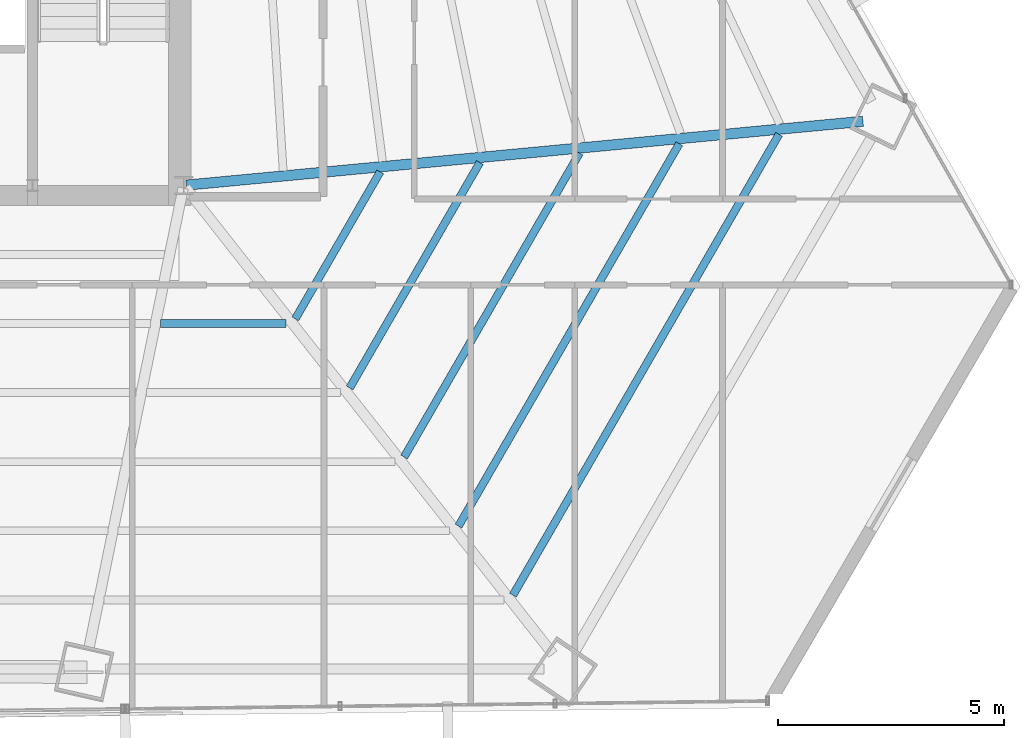
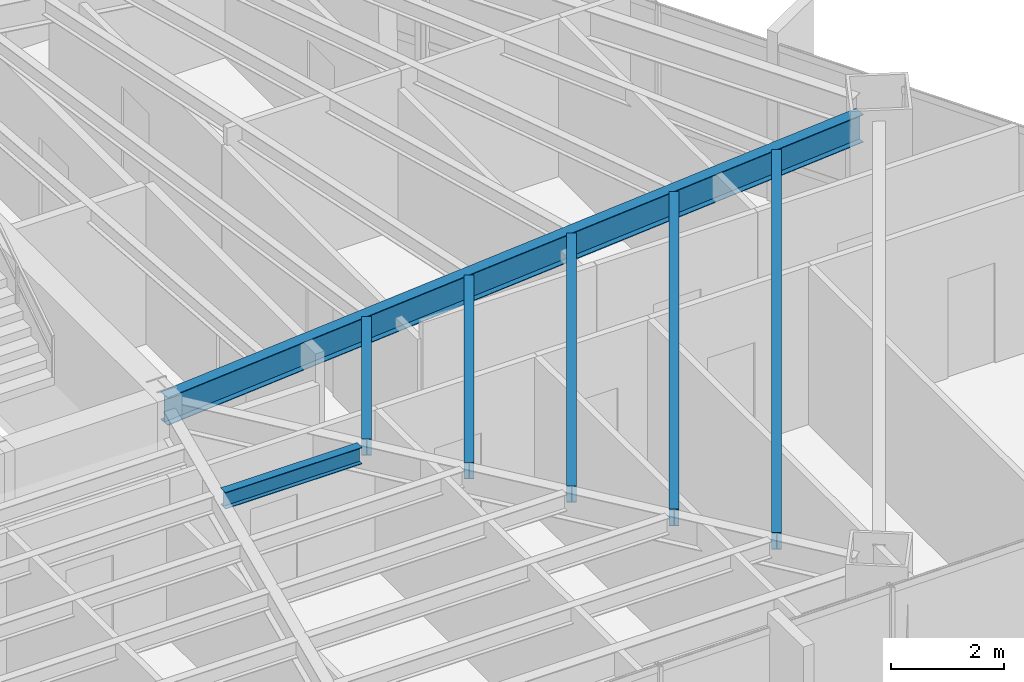
# One storey, part 19 of 37: 7 beams.
"""IFC4 building model written with IfcOpenShell, lengths in metres."""

import ifcopenshell
import ifcopenshell.guid

model = None  # the IFC model being written
_history = None  # IfcOwnerHistory: only IFC2X3 demands one
_inside = {}  # id of a spatial element -> (the spatial element, [elements in it])
_under = {}  # id of a project, library or spatial element -> (it, [spatial elements below it])
_declared = {}  # id of a project -> (the project, [libraries it declares])
_typed = {}  # id of a type object -> (the type object, [elements of that type])
_made_of = {}  # id of a material, layer set ... -> (it, [elements and type objects made of it])


def new_model(schema):
    """Start an empty IFC model of exactly this schema.

    Asked for "IFC4X3", IfcOpenShell would pick the latest addendum, in which some entities
    have other attributes; the version numbers below select the first issue.
    IFC2X3 requires an IfcOwnerHistory on every rooted entity: one is made here for all.
    """
    global model, _history
    if schema == "IFC4X3":
        model = ifcopenshell.file(schema_version=(4, 3, 0, 0))
    else:
        model = ifcopenshell.file(schema=schema)
    _inside.clear()
    _under.clear()
    _declared.clear()
    _typed.clear()
    _made_of.clear()
    _history = None
    if model.schema == "IFC2X3":
        org = make("IfcOrganization", Name="unknown")
        user = make(
            "IfcPersonAndOrganization",
            ThePerson=make("IfcPerson", FamilyName="unknown"),
            TheOrganization=org,
        )
        app = make(
            "IfcApplication",
            ApplicationDeveloper=org,
            Version="unknown",
            ApplicationFullName="unknown",
            ApplicationIdentifier="unknown",
        )
        _history = make(
            "IfcOwnerHistory",
            OwningUser=user,
            OwningApplication=app,
            ChangeAction="ADDED",
            CreationDate=0,
        )
    return model


def make(cls, **values):
    """One entity of the class cls with the attributes given. An attribute that is None is left unset."""
    return model.create_entity(
        cls, **{name: value for name, value in values.items() if value is not None}
    )


def rooted(cls, **values):
    """An entity with a GlobalId (a new one), such as an element, a storey or a relation."""
    return make(cls, GlobalId=ifcopenshell.guid.new(), OwnerHistory=_history, **values)


def si_unit(unit_type, name, prefix=None):
    """IfcSIUnit, for example si_unit("LENGTHUNIT", "METRE", prefix="MILLI")."""
    return make("IfcSIUnit", UnitType=unit_type, Prefix=prefix, Name=name)


def assignment(units):
    """IfcUnitAssignment: the units of a project."""
    return None if units is None else make("IfcUnitAssignment", Units=units)


def point(xyz):
    """IfcCartesianPoint."""
    return None if xyz is None else make("IfcCartesianPoint", Coordinates=xyz)


def direction(xyz):
    """IfcDirection."""
    return None if xyz is None else make("IfcDirection", DirectionRatios=xyz)


def frame(location, z_axis=None, x_axis=None):
    """IfcAxis2Placement3D, a coordinate frame: its origin and axes. An axis left out is left unset."""
    return make(
        "IfcAxis2Placement3D",
        Location=point(location),
        Axis=direction(z_axis),
        RefDirection=direction(x_axis),
    )


def frame_2d(location, x_axis=None):
    """IfcAxis2Placement2D, a coordinate frame in the plane: its origin and x axis."""
    return make(
        "IfcAxis2Placement2D", Location=point(location), RefDirection=direction(x_axis)
    )


def origin():
    """The frame at (0, 0, 0) with its axes left unset."""
    return frame((0.0, 0.0, 0.0))


def origin_2d():
    """The frame at (0, 0) in the plane with its x axis left unset."""
    return frame_2d((0.0, 0.0))


def place(relative_to, where):
    """IfcLocalPlacement: puts the frame where relative to a parent placement (None: the world)."""
    return make(
        "IfcLocalPlacement", PlacementRelTo=relative_to, RelativePlacement=where
    )


def context(
    kind, dimensions, precision=None, world=None, true_north=None, identifier=None
):
    """IfcGeometricRepresentationContext, for example the 3D "Model" context."""
    return make(
        "IfcGeometricRepresentationContext",
        ContextIdentifier=identifier,
        ContextType=kind,
        CoordinateSpaceDimension=dimensions,
        Precision=precision,
        WorldCoordinateSystem=world,
        TrueNorth=true_north,
    )


def subcontext(parent, identifier, kind, view, scale=None):
    """IfcGeometricRepresentationSubContext, for example "Body" below "Model"."""
    return make(
        "IfcGeometricRepresentationSubContext",
        ContextIdentifier=identifier,
        ContextType=kind,
        ParentContext=parent,
        TargetScale=scale,
        TargetView=view,
    )


def project(units=None, contexts=None):
    """IfcProject with its units and contexts."""
    return rooted(
        "IfcProject",
        Name="project",
        RepresentationContexts=contexts,
        UnitsInContext=assignment(units),
    )


def spatial(cls, under=None, at=None, **own):
    """A site, building, storey or space (cls), placed at a placement, below another one or the project."""
    s = rooted(cls, ObjectPlacement=at, **own)
    if under is not None:
        _under.setdefault(under.id(), (under, []))[1].append(s)
    return s


def profile(cls, at=None, kind="AREA", **sizes):
    """A parametric profile (cls). Its sizes go by their IFC names, for example OverallWidth=200.0."""
    return make(cls, ProfileType=kind, Position=at, **sizes)


def i_section(**sizes):
    """IfcIShapeProfileDef."""
    return profile("IfcIShapeProfileDef", **sizes)


def extrude(swept, where, along, depth):
    """IfcExtrudedAreaSolid: the profile swept, set in the frame where, extruded along a direction by depth."""
    return make(
        "IfcExtrudedAreaSolid",
        SweptArea=swept,
        Position=where,
        ExtrudedDirection=direction(along),
        Depth=depth,
    )


def shape(context_of_items, identifier, shape_type, items):
    """IfcShapeRepresentation: the items that make up one representation, for example the "Body"."""
    return make(
        "IfcShapeRepresentation",
        ContextOfItems=context_of_items,
        RepresentationIdentifier=identifier,
        RepresentationType=shape_type,
        Items=items,
    )


def source(mapping_origin, context_of_items, identifier, shape_type, items):
    """IfcRepresentationMap: a shape defined once, which mapped items show again and again."""
    return make(
        "IfcRepresentationMap",
        MappingOrigin=mapping_origin,
        MappedRepresentation=shape(context_of_items, identifier, shape_type, items),
    )


def transform(
    local_origin,
    x_axis=None,
    y_axis=None,
    z_axis=None,
    scale=None,
    scale2=None,
    scale3=None,
    uniform=True,
):
    """IfcCartesianTransformationOperator3D, or its non-uniform kind. x_axis, y_axis, z_axis: its Axis1, 2, 3."""
    if uniform:
        return make(
            "IfcCartesianTransformationOperator3D",
            Axis1=direction(x_axis),
            Axis2=direction(y_axis),
            LocalOrigin=point(local_origin),
            Scale=scale,
            Axis3=direction(z_axis),
        )
    return make(
        "IfcCartesianTransformationOperator3DnonUniform",
        Axis1=direction(x_axis),
        Axis2=direction(y_axis),
        LocalOrigin=point(local_origin),
        Scale=scale,
        Axis3=direction(z_axis),
        Scale2=scale2,
        Scale3=scale3,
    )


def mapped(mapping_source, mapping_target):
    """IfcMappedItem: shows the shape of a source again, moved by a transform."""
    return make(
        "IfcMappedItem", MappingSource=mapping_source, MappingTarget=mapping_target
    )


def material(Name=None, Category=None):
    """IfcMaterial."""
    return make("IfcMaterial", Name=Name, Category=Category)


def material_profile(
    of_material, cross_section, Name=None, Category=None, Priority=None
):
    """IfcMaterialProfile: a cross section and its material."""
    return make(
        "IfcMaterialProfile",
        Name=Name,
        Material=of_material,
        Profile=cross_section,
        Priority=Priority,
        Category=Category,
    )


def profile_set(profiles, Name=None, composite=None):
    """IfcMaterialProfileSet."""
    return make(
        "IfcMaterialProfileSet",
        Name=Name,
        MaterialProfiles=profiles,
        CompositeProfile=composite,
    )


def made_of(thing, what):
    """Note that an element or type object is made of a material, layer set ...; save() writes the relation."""
    if what is not None:
        _made_of.setdefault(what.id(), (what, []))[1].append(thing)
    return thing


def type_object(cls, material=None, **own):
    """A type object (cls), such as IfcWallType, which elements share."""
    return made_of(rooted(cls, **own), material)


def type_shapes(of_type, sources):
    """Give a type object the sources (RepresentationMaps) that its elements show as mapped items."""
    of_type.RepresentationMaps = sources


def element(
    cls,
    number,
    at=None,
    inside=None,
    cuts=None,
    type_object=None,
    material=None,
    context=None,
    identifier="Body",
    shape_type=None,
    held_by="IfcProductDefinitionShape",
    body=None,
    shapes=None,
    **own,
):
    """One element of the class cls, such as IfcWall. Its Tag is "e" and its number.

    at: its placement. inside: the storey or other place that contains it. cuts: it is an
    opening in that element (IfcRelVoidsElement). A single representation is given by context,
    identifier, shape_type and body (its items); several are given by shapes. held_by: the class
    of the entity that holds the representations. save() writes the other relations.
    """
    e = rooted(cls, Tag="e%d" % number, ObjectPlacement=at, **own)
    if body is not None:
        shapes = [shape(context, identifier, shape_type, body)]
    if shapes is not None:
        e.Representation = make(held_by, Representations=shapes)
    if inside is not None:
        _inside.setdefault(inside.id(), (inside, []))[1].append(e)
    if cuts is not None:
        rooted(
            "IfcRelVoidsElement", RelatingBuildingElement=cuts, RelatedOpeningElement=e
        )
    if type_object is not None:
        _typed.setdefault(type_object.id(), (type_object, []))[1].append(e)
    return made_of(e, material)


def aggregate(whole, parts):
    """IfcRelAggregates: a whole, such as a stair, and the parts it consists of."""
    return rooted("IfcRelAggregates", RelatingObject=whole, RelatedObjects=parts)


def save(model, path):
    """Write the relations noted so far, then the file.

    IfcRelAggregates (storeys below a building ...), IfcRelContainedInSpatialStructure (elements
    in a storey), IfcRelDefinesByType, IfcRelAssociatesMaterial and IfcRelDeclares: one each for
    every whole, place, type object, material and project.
    """
    for whole, parts in _under.values():
        aggregate(whole, parts)
    for where, things in _inside.values():
        rooted(
            "IfcRelContainedInSpatialStructure",
            RelatedElements=things,
            RelatingStructure=where,
        )
    for kind, things in _typed.values():
        rooted("IfcRelDefinesByType", RelatedObjects=things, RelatingType=kind)
    for what, things in _made_of.values():
        rooted("IfcRelAssociatesMaterial", RelatedObjects=things, RelatingMaterial=what)
    for by, libraries in _declared.values():
        rooted("IfcRelDeclares", RelatingContext=by, RelatedDefinitions=libraries)
    model.write(path)


model = new_model("IFC4")

# Units and contexts
model_context = context("Model", 3, precision=1e-05, world=origin(), true_north=direction((0.0, 1.0)))
body_context = subcontext(model_context, "Body", "Model", "MODEL_VIEW")
ifc_project = project(units=[si_unit("LENGTHUNIT", "METRE"), si_unit("AREAUNIT", "SQUARE_METRE"), si_unit("VOLUMEUNIT", "CUBIC_METRE"), si_unit("PLANEANGLEUNIT", "RADIAN"), si_unit("MASSUNIT", "GRAM", prefix="KILO")], contexts=[model_context])

# Site, building, storey
site_placement = place(None, origin())
site = spatial("IfcSite", under=ifc_project, at=site_placement, CompositionType="ELEMENT")
building_placement = place(site_placement, origin())
building = spatial("IfcBuilding", under=site, at=building_placement, Name="Caelisora Broadcast Tower", CompositionType="ELEMENT")
storey_placement = place(building_placement, frame((0.0, 0.0, 120.0)))
storey = spatial("IfcBuildingStorey", under=building, at=storey_placement, Name="L31", CompositionType="ELEMENT", Elevation=120.0)

# Beams
ifc_material = material(Name="Steel Grade 350 (AS/NZS 3679.1)", Category="steel")
ifc_material_profile_1 = material_profile(ifc_material, i_section(OverallWidth=0.22802734375, OverallDepth=0.602294921875, WebThickness=0.010498046875, FlangeThickness=0.014892578125, at=origin_2d()), Name="Steel Grade 350 (AS/NZS 3679.1)")
ifc_profile_set_1 = profile_set([ifc_material_profile_1], Name="Steel Grade 350 (AS/NZS 3679.1)")
beam_type_1 = type_object("IfcBeamType", Name="PG04", PredefinedType="BEAM", material=ifc_profile_set_1)
shared_shape_1 = source(origin(), body_context, "Body", "SweptSolid", [
    extrude(i_section(OverallWidth=0.22802734375, OverallDepth=0.602294921875, WebThickness=0.010498046875, FlangeThickness=0.014892578125, at=origin_2d()), origin(), (0.0, 0.0, 1.0), 15.031494140625),
])
type_shapes(beam_type_1, [shared_shape_1])
beam_1_placement = place(storey_placement, frame((45.559814453125, 17.405517578125, 3.098876953125), z_axis=(0.995580620207, 0.093910748422, 0.0), x_axis=(-0.093910748422, 0.995580620207, 0.0)))
element("IfcBeam", 1, at=beam_1_placement, inside=storey, type_object=beam_type_1, Name="L31 beam PG04", PredefinedType="BEAM", context=body_context, shape_type="MappedRepresentation", body=[
    mapped(shared_shape_1, transform((0.0, 0.0, 0.0), scale=1.0)),
])
ifc_material_profile_2 = material_profile(ifc_material, i_section(OverallWidth=0.172119140625, OverallDepth=0.358642578125, WebThickness=0.008056640625, FlangeThickness=0.012939453125, at=origin_2d()), Name="Steel Grade 350 (AS/NZS 3679.1)")
ifc_profile_set_2 = profile_set([ifc_material_profile_2], Name="Steel Grade 350 (AS/NZS 3679.1)")
beam_type_2 = type_object("IfcBeamType", Name="SB02", PredefinedType="JOIST", material=ifc_profile_set_2)
shared_shape_2 = source(origin(), body_context, "Body", "SweptSolid", [
    extrude(i_section(OverallWidth=0.172119140625, OverallDepth=0.358642578125, WebThickness=0.008056640625, FlangeThickness=0.012939453125, at=origin_2d()), origin(), (0.0, 0.0, 1.0), 3.75341796875),
])
beam_2_placement = place(storey_placement, frame((47.96728515625, 14.447265625, 3.220703125), z_axis=(0.500007733091, 0.866020939036, 0.0), x_axis=(-0.866020939036, 0.500007733091, 0.0)))
element("IfcBeam", 2, at=beam_2_placement, inside=storey, type_object=beam_type_2, Name="L31 beam SB02", PredefinedType="JOIST", context=body_context, shape_type="MappedRepresentation", body=[
    mapped(shared_shape_2, transform((0.0, 0.0, 0.0), scale=1.0)),
])
shared_shape_3 = source(origin(), body_context, "Body", "SweptSolid", [
    extrude(i_section(OverallWidth=0.172119140625, OverallDepth=0.358642578125, WebThickness=0.008056640625, FlangeThickness=0.012939453125, at=origin_2d()), origin(), (0.0, 0.0, 1.0), 5.758056640625),
])
beam_3_placement = place(storey_placement, frame((49.1708984375, 12.919189453125, 3.220703125), z_axis=(0.500019739641, 0.866014006798, 0.0), x_axis=(-0.866014006798, 0.500019739641, 0.0)))
element("IfcBeam", 3, at=beam_3_placement, inside=storey, type_object=beam_type_2, Name="L31 beam SB02", PredefinedType="JOIST", context=body_context, shape_type="MappedRepresentation", body=[
    mapped(shared_shape_3, transform((0.0, 0.0, 0.0), scale=1.0)),
])
shared_shape_4 = source(origin(), body_context, "Body", "SweptSolid", [
    extrude(i_section(OverallWidth=0.172119140625, OverallDepth=0.358642578125, WebThickness=0.008056640625, FlangeThickness=0.012939453125, at=origin_2d()), origin(), (0.0, 0.0, 1.0), 7.762939453125),
])
beam_4_placement = place(storey_placement, frame((50.374755859375, 11.390869140625, 3.220703125), z_axis=(0.499988339263, 0.86603213601, 0.0), x_axis=(-0.86603213601, 0.499988339263, 0.0)))
element("IfcBeam", 4, at=beam_4_placement, inside=storey, type_object=beam_type_2, Name="L31 beam SB02", PredefinedType="JOIST", context=body_context, shape_type="MappedRepresentation", body=[
    mapped(shared_shape_4, transform((0.0, 0.0, 0.0), scale=1.0)),
])
shared_shape_5 = source(origin(), body_context, "Body", "SweptSolid", [
    extrude(i_section(OverallWidth=0.172119140625, OverallDepth=0.358642578125, WebThickness=0.008056640625, FlangeThickness=0.012939453125, at=origin_2d()), origin(), (0.0, 0.0, 1.0), 9.767822265625),
])
beam_5_placement = place(storey_placement, frame((51.57861328125, 9.86279296875, 3.220703125), z_axis=(0.499988574806, 0.866032000023, 0.0), x_axis=(-0.866032000023, 0.499988574806, 0.0)))
element("IfcBeam", 5, at=beam_5_placement, inside=storey, type_object=beam_type_2, Name="L31 beam SB02", PredefinedType="JOIST", context=body_context, shape_type="MappedRepresentation", body=[
    mapped(shared_shape_5, transform((0.0, 0.0, 0.0), scale=1.0)),
])
shared_shape_6 = source(origin(), body_context, "Body", "SweptSolid", [
    extrude(i_section(OverallWidth=0.172119140625, OverallDepth=0.358642578125, WebThickness=0.008056640625, FlangeThickness=0.012939453125, at=origin_2d()), origin(), (0.0, 0.0, 1.0), 11.772705078125),
])
beam_6_placement = place(storey_placement, frame((52.7822265625, 8.33447265625, 3.220703125), z_axis=(0.499988730122, 0.866031910354, 0.0), x_axis=(-0.866031910354, 0.499988730122, 0.0)))
element("IfcBeam", 6, at=beam_6_placement, inside=storey, type_object=beam_type_2, Name="L31 beam SB02", PredefinedType="JOIST", context=body_context, shape_type="MappedRepresentation", body=[
    mapped(shared_shape_6, transform((0.0, 0.0, 0.0), scale=1.0)),
])
shared_shape_7 = source(origin(), body_context, "Body", "SweptSolid", [
    extrude(i_section(OverallWidth=0.172119140625, OverallDepth=0.358642578125, WebThickness=0.008056640625, FlangeThickness=0.012939453125, at=origin_2d()), origin(), (0.0, 0.0, 1.0), 2.778076171875),
])
type_shapes(beam_type_2, [shared_shape_2, shared_shape_3, shared_shape_4, shared_shape_5, shared_shape_6, shared_shape_7])
beam_7_placement = place(storey_placement, frame((44.9873046875, 14.343505859375, 3.220703125), z_axis=(1.0, 0.0, 0.0), x_axis=(0.0, 1.0, 0.0)))
element("IfcBeam", 7, at=beam_7_placement, inside=storey, type_object=beam_type_2, Name="L31 beam SB02", PredefinedType="JOIST", context=body_context, shape_type="MappedRepresentation", body=[
    mapped(shared_shape_7, transform((0.0, 0.0, 0.0), scale=1.0)),
])

save(model, "model.ifc")
